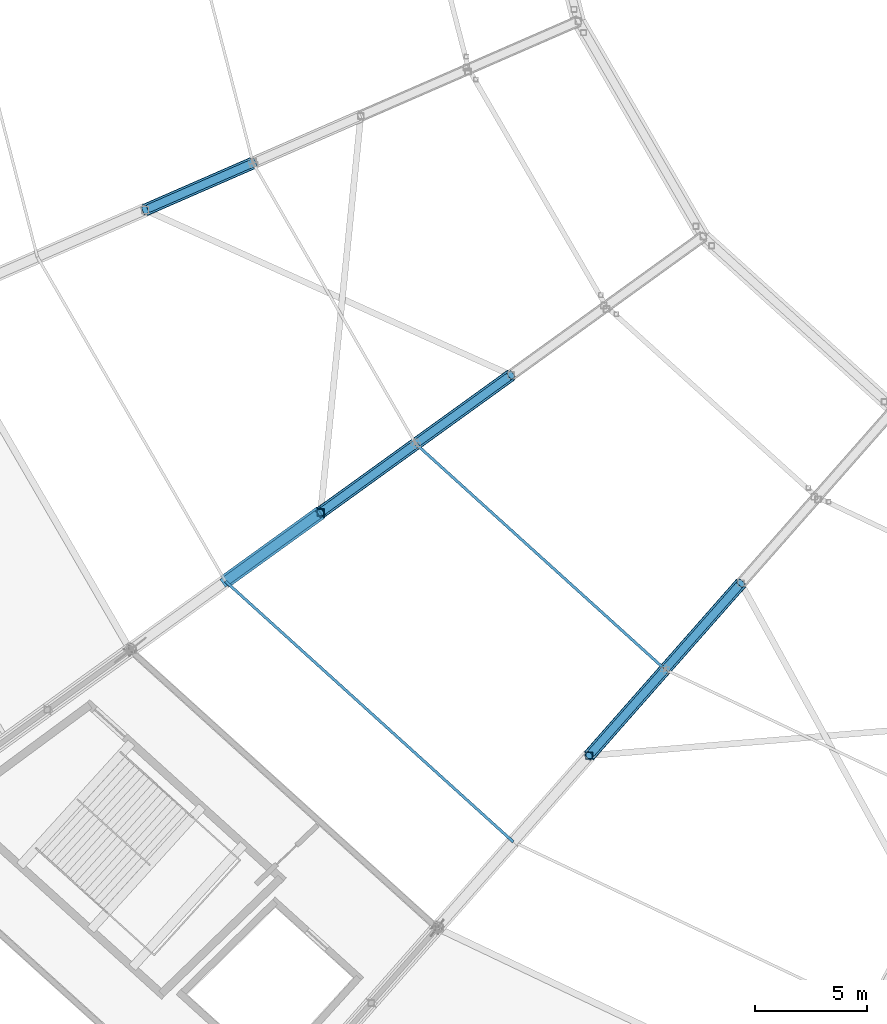
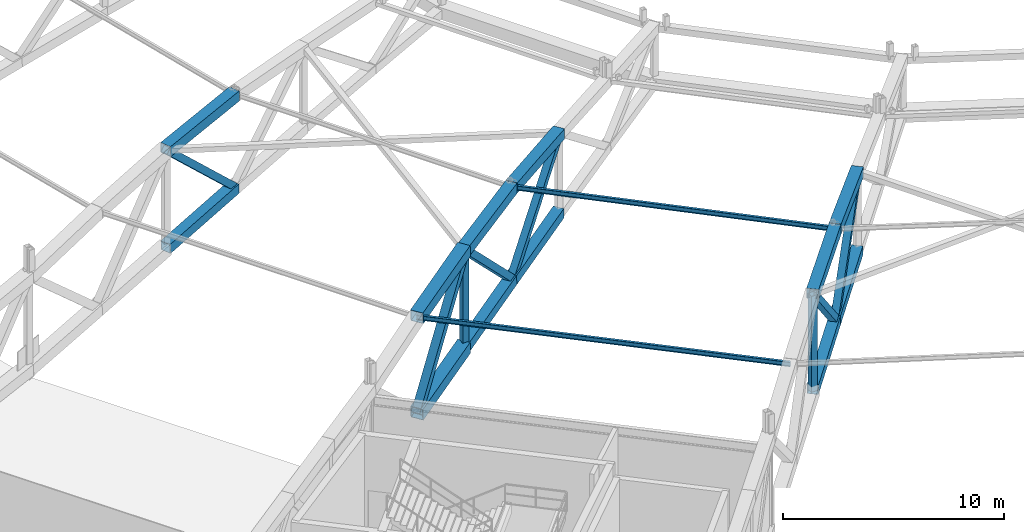
# One storey, part 21 of 162: 22 members.
"""IFC4 building model written with IfcOpenShell, lengths in metres."""

from ifc_helpers import new_model, si_unit, direction, frame, origin, origin_2d, place, context, subcontext, project, spatial, hollow_rectangle, i_section, extrude, material, material_profile, profile_set, type_object, element, save


model = new_model("IFC4")

# Units and contexts
model_context = context("Model", 3, precision=1e-05, world=origin(), true_north=direction((0.0, 1.0)))
body_context = subcontext(model_context, "Body", "Model", "MODEL_VIEW")
ifc_project = project(units=[si_unit("LENGTHUNIT", "METRE"), si_unit("AREAUNIT", "SQUARE_METRE"), si_unit("VOLUMEUNIT", "CUBIC_METRE"), si_unit("PLANEANGLEUNIT", "RADIAN"), si_unit("MASSUNIT", "GRAM", prefix="KILO")], contexts=[model_context])

# Site, building, storey
site_placement = place(None, origin())
site = spatial("IfcSite", under=ifc_project, at=site_placement, CompositionType="ELEMENT")
building_placement = place(site_placement, origin())
building = spatial("IfcBuilding", under=site, at=building_placement, Name="Kazemori Nagisa Stadium", CompositionType="ELEMENT")
storey_placement = place(building_placement, frame((0.0, 0.0, 36.719970703125)))
storey = spatial("IfcBuildingStorey", under=building, at=storey_placement, Name="RF", CompositionType="ELEMENT", Elevation=36.719970703125)

# Members
ifc_material_1 = material(Name="Steel STKR490", Category="steel")
ifc_material_profile_1 = material_profile(ifc_material_1, hollow_rectangle(XDim=0.360107421875, YDim=0.360107421875, WallThickness=0.013916015625, at=origin_2d()), Name="SHS-360x360x14")
ifc_profile_set_1 = profile_set([ifc_material_profile_1], Name="Steel STKR490")
member_type_1 = type_object("IfcMemberType", Name="Member_TB-SHS360", PredefinedType="BRACE", material=ifc_profile_set_1)
member_1_placement = place(storey_placement, frame((56.158447265625, 72.8603515625, 6.6259765625), z_axis=(0.663223998138, 0.289140024824, -0.690312953912), x_axis=(-0.399634648115, 0.916674504951, 0.0)))
element("IfcMember", 1, at=member_1_placement, inside=storey, type_object=member_type_1, Name="Roof space truss diagonal RT-17-6", PredefinedType="BRACE", context=body_context, shape_type="SweptSolid", body=[
    extrude(hollow_rectangle(XDim=0.360107421875, YDim=0.360107421875, WallThickness=0.013916015625, at=origin_2d()), origin(), (0.0, 0.0, 1.0), 7.237060546875),
])
member_2_placement = place(storey_placement, frame((63.971435546875, 59.385986328125, 6.56005859375), z_axis=(0.587906417001, 0.424422245749, -0.688644902808), x_axis=(-0.585330267791, 0.810794966442, 0.0)))
element("IfcMember", 2, at=member_2_placement, inside=storey, type_object=member_type_1, Name="Roof space truss diagonal RT-18-6", PredefinedType="BRACE", context=body_context, shape_type="SweptSolid", body=[
    extrude(hollow_rectangle(XDim=0.360107421875, YDim=0.360107421875, WallThickness=0.013916015625, at=origin_2d()), origin(), (0.0, 0.0, 1.0), 7.2099609375),
])
member_3_placement = place(storey_placement, frame((68.210205078125, 62.446044921875, 1.594970703125), z_axis=(0.601110086972, 0.433954258156, 0.671081489216), x_axis=(-0.585330267791, 0.810794966442, 0.0)))
element("IfcMember", 3, at=member_3_placement, inside=storey, type_object=member_type_1, Name="Roof space truss diagonal RT-18-7", PredefinedType="BRACE", context=body_context, shape_type="SweptSolid", body=[
    extrude(hollow_rectangle(XDim=0.360107421875, YDim=0.360107421875, WallThickness=0.013916015625, at=origin_2d()), origin(), (0.0, 0.0, 1.0), 7.051513671875),
])
member_4_placement = place(storey_placement, frame((75.92626953125, 48.563720703125, 6.47314453125), z_axis=(0.47607829973, 0.540410417222, -0.693762231233), x_axis=(-0.750357303375, 0.661032463099, 0.0)))
element("IfcMember", 4, at=member_4_placement, inside=storey, type_object=member_type_1, Name="Roof space truss diagonal RT-19-6", PredefinedType="BRACE", context=body_context, shape_type="SweptSolid", body=[
    extrude(hollow_rectangle(XDim=0.360107421875, YDim=0.360107421875, WallThickness=0.013916015625, at=origin_2d()), origin(), (0.0, 0.0, 1.0), 7.100341796875),
])
member_5_placement = place(storey_placement, frame((79.306640625, 52.40087890625, 1.547119140625), z_axis=(0.488170173719, 0.554136257427, 0.674257287462), x_axis=(-0.750357303375, 0.661032463099, 0.0)))
element("IfcMember", 5, at=member_5_placement, inside=storey, type_object=member_type_1, Name="Roof space truss diagonal RT-19-7", PredefinedType="BRACE", context=body_context, shape_type="SweptSolid", body=[
    extrude(hollow_rectangle(XDim=0.360107421875, YDim=0.360107421875, WallThickness=0.013916015625, at=origin_2d()), origin(), (0.0, 0.0, 1.0), 6.924560546875),
])
ifc_material_profile_2 = material_profile(ifc_material_1, hollow_rectangle(XDim=0.419921875, YDim=0.419921875, WallThickness=0.01611328125, at=origin_2d()), Name="SHS-420x420x16")
ifc_profile_set_2 = profile_set([ifc_material_profile_2], Name="Steel STKR490")
member_type_2 = type_object("IfcMemberType", Name="Member_TB-SHS420", PredefinedType="BRACE", material=ifc_profile_set_2)
member_6_placement = place(storey_placement, frame((59.732666015625, 56.325927734375, 0.838134765625), z_axis=(0.546896857852, 0.394816565852, 0.738257208702), x_axis=(-0.585330267791, 0.810794966442, 0.0)))
element("IfcMember", 6, at=member_6_placement, inside=storey, type_object=member_type_2, Name="Roof space truss diagonal RT-18-5", PredefinedType="BRACE", context=body_context, shape_type="SweptSolid", body=[
    extrude(hollow_rectangle(XDim=0.419921875, YDim=0.419921875, WallThickness=0.01611328125, at=origin_2d()), origin(), (0.0, 0.0, 1.0), 7.75048828125),
])
ifc_material_profile_3 = material_profile(ifc_material_1, hollow_rectangle(XDim=0.52001953125, YDim=0.52001953125, WallThickness=0.01904296875, at=origin_2d()), Name="SHS-520x520x19")
ifc_profile_set_3 = profile_set([ifc_material_profile_3], Name="Steel STKR490")
member_type_3 = type_object("IfcMemberType", Name="Member_TC-SHS520", PredefinedType="CHORD", material=ifc_profile_set_3)
member_7_placement = place(storey_placement, frame((56.158447265625, 72.8603515625, 1.239990234375), z_axis=(0.914140553417, 0.398529943201, 0.074302980893), x_axis=(-0.399634648115, 0.916674504951, 0.0)))
element("IfcMember", 7, at=member_7_placement, inside=storey, type_object=member_type_3, Name="Roof space truss bottom chord RT-17-6", PredefinedType="CHORD", context=body_context, shape_type="SweptSolid", body=[
    extrude(hollow_rectangle(XDim=0.52001953125, YDim=0.52001953125, WallThickness=0.01904296875, at=origin_2d()), origin(), (0.0, 0.0, 1.0), 5.250732421875),
])
member_8_placement = place(storey_placement, frame((63.971435546875, 59.385986328125, 1.216064453125), z_axis=(0.808673773539, 0.583798933161, 0.072287852582), x_axis=(-0.585330267791, 0.810794966442, 0.0)))
element("IfcMember", 8, at=member_8_placement, inside=storey, type_object=member_type_3, Name="Roof space truss bottom chord RT-18-6", PredefinedType="CHORD", context=body_context, shape_type="SweptSolid", body=[
    extrude(hollow_rectangle(XDim=0.52001953125, YDim=0.52001953125, WallThickness=0.01904296875, at=origin_2d()), origin(), (0.0, 0.0, 1.0), 5.24169921875),
])
member_9_placement = place(storey_placement, frame((68.210205078125, 62.446044921875, 1.594970703125), z_axis=(0.808898966076, 0.583961504481, 0.068347816106), x_axis=(-0.585330267791, 0.810794966442, 0.0)))
element("IfcMember", 9, at=member_9_placement, inside=storey, type_object=member_type_3, Name="Roof space truss bottom chord RT-18-7", PredefinedType="CHORD", context=body_context, shape_type="SweptSolid", body=[
    extrude(hollow_rectangle(XDim=0.52001953125, YDim=0.52001953125, WallThickness=0.01904296875, at=origin_2d()), origin(), (0.0, 0.0, 1.0), 5.240234375),
])
member_10_placement = place(storey_placement, frame((75.92626953125, 48.563720703125, 1.18505859375), z_axis=(0.659381858746, 0.748483654045, 0.070624245018), x_axis=(-0.750357303375, 0.661032463099, 0.0)))
element("IfcMember", 10, at=member_10_placement, inside=storey, type_object=member_type_3, Name="Roof space truss bottom chord RT-19-6", PredefinedType="CHORD", context=body_context, shape_type="SweptSolid", body=[
    extrude(hollow_rectangle(XDim=0.52001953125, YDim=0.52001953125, WallThickness=0.01904296875, at=origin_2d()), origin(), (0.0, 0.0, 1.0), 5.12646484375),
])
member_11_placement = place(storey_placement, frame((79.306640625, 52.40087890625, 1.547119140625), z_axis=(0.659560850027, 0.748686832289, 0.066689671388), x_axis=(-0.750357303375, 0.661032463099, 0.0)))
element("IfcMember", 11, at=member_11_placement, inside=storey, type_object=member_type_3, Name="Roof space truss bottom chord RT-19-7", PredefinedType="CHORD", context=body_context, shape_type="SweptSolid", body=[
    extrude(hollow_rectangle(XDim=0.52001953125, YDim=0.52001953125, WallThickness=0.01904296875, at=origin_2d()), origin(), (0.0, 0.0, 1.0), 5.125244140625),
])
ifc_material_profile_4 = material_profile(ifc_material_1, hollow_rectangle(XDim=0.56005859375, YDim=0.56005859375, WallThickness=0.02001953125, at=origin_2d()), Name="SHS-560x560x20")
ifc_profile_set_4 = profile_set([ifc_material_profile_4], Name="Steel STKR490")
member_type_4 = type_object("IfcMemberType", Name="Member_TC-SHS560", PredefinedType="CHORD", material=ifc_profile_set_4)
member_12_placement = place(storey_placement, frame((56.158447265625, 72.8603515625, 6.6259765625), z_axis=(0.916383006821, 0.399507566199, 0.025216846729), x_axis=(-0.399634648115, 0.916674504951, 0.0)))
element("IfcMember", 12, at=member_12_placement, inside=storey, type_object=member_type_4, Name="Roof space truss top chord RT-17-6", PredefinedType="CHORD", context=body_context, shape_type="SweptSolid", body=[
    extrude(hollow_rectangle(XDim=0.56005859375, YDim=0.56005859375, WallThickness=0.02001953125, at=origin_2d()), origin(), (0.0, 0.0, 1.0), 5.23779296875),
])
member_13_placement = place(storey_placement, frame((63.971435546875, 59.385986328125, 6.56005859375), z_axis=(0.81060876657, 0.585195846111, 0.021430101593), x_axis=(-0.585330267791, 0.810794966442, 0.0)))
element("IfcMember", 13, at=member_13_placement, inside=storey, type_object=member_type_4, Name="Roof space truss top chord RT-18-6", PredefinedType="CHORD", context=body_context, shape_type="SweptSolid", body=[
    extrude(hollow_rectangle(XDim=0.56005859375, YDim=0.56005859375, WallThickness=0.02001953125, at=origin_2d()), origin(), (0.0, 0.0, 1.0), 5.22900390625),
])
member_14_placement = place(storey_placement, frame((68.210205078125, 62.446044921875, 6.672119140625), z_axis=(0.809035534269, 0.584060095987, -0.065843060127), x_axis=(-0.585330267791, 0.810794966442, 0.0)))
element("IfcMember", 14, at=member_14_placement, inside=storey, type_object=member_type_4, Name="Roof space truss top chord RT-18-7", PredefinedType="CHORD", context=body_context, shape_type="SweptSolid", body=[
    extrude(hollow_rectangle(XDim=0.56005859375, YDim=0.56005859375, WallThickness=0.02001953125, at=origin_2d()), origin(), (0.0, 0.0, 1.0), 5.2392578125),
])
member_15_placement = place(storey_placement, frame((75.92626953125, 48.563720703125, 6.47314453125), z_axis=(0.660943334156, 0.750256130502, 0.016420952401), x_axis=(-0.750357303375, 0.661032463099, 0.0)))
element("IfcMember", 15, at=member_15_placement, inside=storey, type_object=member_type_4, Name="Roof space truss top chord RT-19-6", PredefinedType="CHORD", context=body_context, shape_type="SweptSolid", body=[
    extrude(hollow_rectangle(XDim=0.56005859375, YDim=0.56005859375, WallThickness=0.02001953125, at=origin_2d()), origin(), (0.0, 0.0, 1.0), 5.114501953125),
])
member_16_placement = place(storey_placement, frame((79.306640625, 52.40087890625, 6.55712890625), z_axis=(0.659567129249, 0.748693960018, -0.066547398495), x_axis=(-0.750357303375, 0.661032463099, 0.0)))
element("IfcMember", 16, at=member_16_placement, inside=storey, type_object=member_type_4, Name="Roof space truss top chord RT-19-7", PredefinedType="CHORD", context=body_context, shape_type="SweptSolid", body=[
    extrude(hollow_rectangle(XDim=0.56005859375, YDim=0.56005859375, WallThickness=0.02001953125, at=origin_2d()), origin(), (0.0, 0.0, 1.0), 5.125244140625),
])
ifc_material_profile_5 = material_profile(ifc_material_1, hollow_rectangle(XDim=0.6201171875, YDim=0.6201171875, WallThickness=0.02197265625, at=origin_2d()), Name="SHS-620x620x22")
ifc_profile_set_5 = profile_set([ifc_material_profile_5], Name="Steel STKR490")
member_type_5 = type_object("IfcMemberType", Name="Member_TC-SHS620", PredefinedType="CHORD", material=ifc_profile_set_5)
member_17_placement = place(storey_placement, frame((59.732666015625, 56.325927734375, 6.1650390625), z_axis=(0.808490311607, 0.583666488059, 0.075344852216), x_axis=(-0.585330267791, 0.810794966442, 0.0)))
element("IfcMember", 17, at=member_17_placement, inside=storey, type_object=member_type_5, Name="Roof space truss top chord RT-18-5", PredefinedType="CHORD", context=body_context, shape_type="SweptSolid", body=[
    extrude(hollow_rectangle(XDim=0.6201171875, YDim=0.6201171875, WallThickness=0.02197265625, at=origin_2d()), origin(), (0.0, 0.0, 1.0), 5.242919921875),
])
member_18_placement = place(storey_placement, frame((59.732666015625, 56.325927734375, 0.838134765625), z_axis=(0.808684650837, 0.583806785715, 0.072102513506), x_axis=(-0.585330267791, 0.810794966442, 0.0)))
element("IfcMember", 18, at=member_18_placement, inside=storey, type_object=member_type_5, Name="Roof space truss bottom chord RT-18-5", PredefinedType="CHORD", context=body_context, shape_type="SweptSolid", body=[
    extrude(hollow_rectangle(XDim=0.6201171875, YDim=0.6201171875, WallThickness=0.02197265625, at=origin_2d()), origin(), (0.0, 0.0, 1.0), 5.241455078125),
])
ifc_material_2 = material(Name="Steel SN490B", Category="steel")
ifc_material_profile_6 = material_profile(ifc_material_2, i_section(OverallWidth=0.125, OverallDepth=0.25, WebThickness=0.006103515625, FlangeThickness=0.009033203125, FilletRadius=0.008056640625, at=origin_2d()), Name="H-250x125x6x9")
ifc_profile_set_6 = profile_set([ifc_material_profile_6], Name="Steel SN490B")
member_type_6 = type_object("IfcMemberType", Name="Member_TP-H250", PredefinedType="PURLIN", material=ifc_profile_set_6)
member_19_placement = place(storey_placement, frame((59.732666015625, 56.325927734375, 6.1650390625), z_axis=(0.741353849325, -0.67110858043, -0.002782690121), x_axis=(0.671111178764, 0.741356719628, 0.0)))
element("IfcMember", 19, at=member_19_placement, inside=storey, type_object=member_type_6, Name="Roof purlin TP-H250 B18-P4", PredefinedType="PURLIN", context=body_context, shape_type="SweptSolid", body=[
    extrude(i_section(OverallWidth=0.125, OverallDepth=0.25, WebThickness=0.006103515625, FlangeThickness=0.009033203125, FilletRadius=0.008056640625, at=origin_2d()), origin(), (0.0, 0.0, 1.0), 17.283935546875),
])
member_20_placement = place(storey_placement, frame((68.210205078125, 62.446044921875, 6.672119140625), z_axis=(0.741329938556, -0.671096792632, -0.00768226004), x_axis=(0.671116596608, 0.741351815103, 0.0)))
element("IfcMember", 20, at=member_20_placement, inside=storey, type_object=member_type_6, Name="Roof purlin TP-H250 B18-P6", PredefinedType="PURLIN", context=body_context, shape_type="SweptSolid", body=[
    extrude(i_section(OverallWidth=0.125, OverallDepth=0.25, WebThickness=0.006103515625, FlangeThickness=0.009033203125, FilletRadius=0.008056640625, at=origin_2d()), origin(), (0.0, 0.0, 1.0), 14.96826171875),
])
ifc_material_profile_7 = material_profile(ifc_material_1, hollow_rectangle(XDim=0.320068359375, YDim=0.320068359375, WallThickness=0.011962890625, at=origin_2d()), Name="SHS-320x320x12")
ifc_profile_set_7 = profile_set([ifc_material_profile_7], Name="Steel STKR490")
member_type_7 = type_object("IfcMemberType", Name="Member_TS-SHS320", PredefinedType="STRUT", material=ifc_profile_set_7)
member_21_placement = place(storey_placement, frame((63.971435546875, 59.385986328125, 1.216064453125), z_axis=(0.0, 0.0, 1.0), x_axis=(1.0, 0.0, 0.0)))
element("IfcMember", 21, at=member_21_placement, inside=storey, type_object=member_type_7, Name="Roof space truss strut RT-18-6", PredefinedType="STRUT", context=body_context, shape_type="SweptSolid", body=[
    extrude(hollow_rectangle(XDim=0.320068359375, YDim=0.320068359375, WallThickness=0.011962890625, at=origin_2d()), origin(), (0.0, 0.0, 1.0), 5.343994140625),
])
member_22_placement = place(storey_placement, frame((75.92626953125, 48.563720703125, 1.18505859375), z_axis=(0.0, 0.0, 1.0), x_axis=(1.0, 0.0, 0.0)))
element("IfcMember", 22, at=member_22_placement, inside=storey, type_object=member_type_7, Name="Roof space truss strut RT-19-6", PredefinedType="STRUT", context=body_context, shape_type="SweptSolid", body=[
    extrude(hollow_rectangle(XDim=0.320068359375, YDim=0.320068359375, WallThickness=0.011962890625, at=origin_2d()), origin(), (0.0, 0.0, 1.0), 5.2880859375),
])

save(model, "model.ifc")
